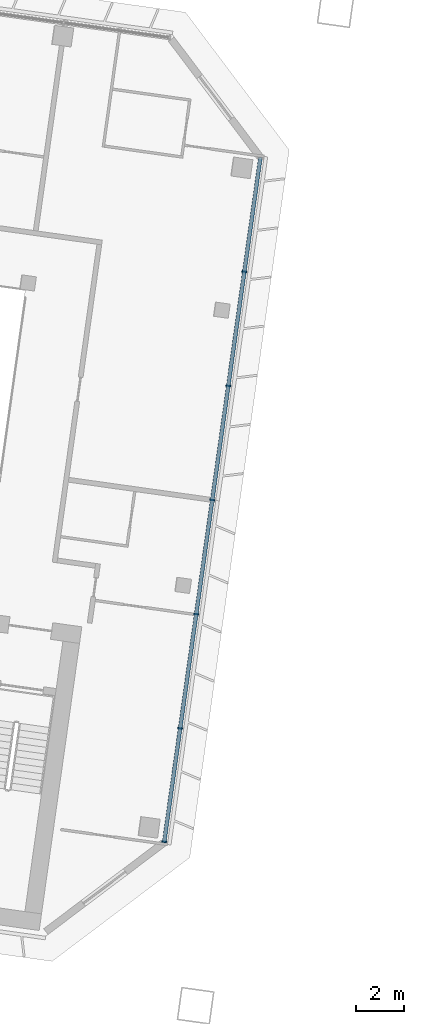
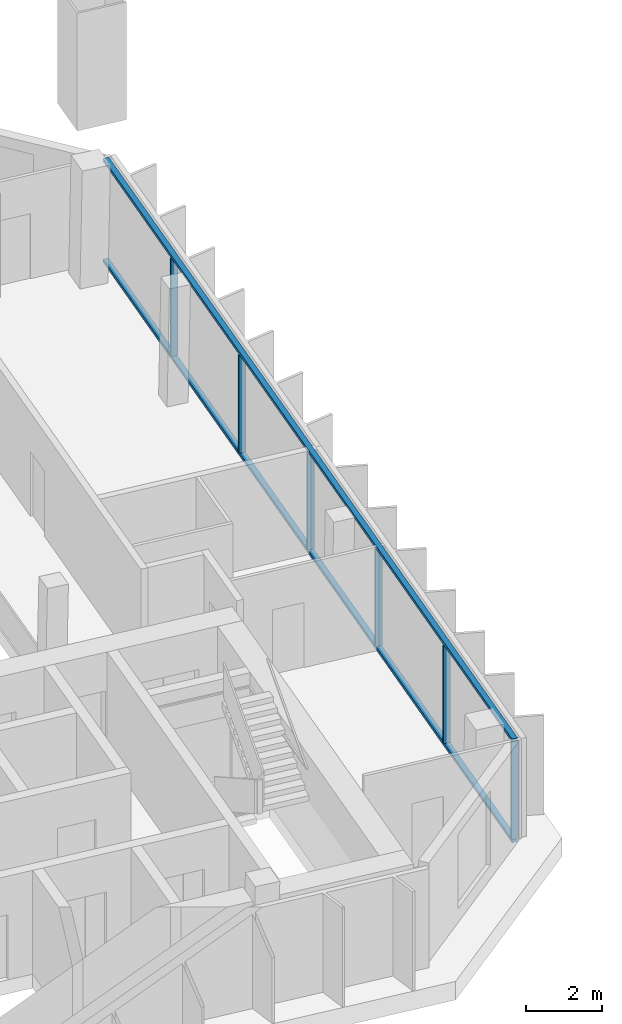
# One storey, part 6 of 26: 8 members, 1 element without a shape of its own.
"""IFC4 building model written with IfcOpenShell, lengths in metres."""

from ifc_helpers import new_model, si_unit, direction, frame, origin, origin_2d, place, context, subcontext, project, spatial, rectangle, extrude, material, material_profile, profile_set, type_object, element, aggregate, save


model = new_model("IFC4")

# Units and contexts
model_context = context("Model", 3, precision=1e-05, world=origin(), true_north=direction((0.0, 1.0)))
body_context = subcontext(model_context, "Body", "Model", "MODEL_VIEW")
ifc_project = project(units=[si_unit("LENGTHUNIT", "METRE"), si_unit("AREAUNIT", "SQUARE_METRE"), si_unit("VOLUMEUNIT", "CUBIC_METRE"), si_unit("PLANEANGLEUNIT", "RADIAN"), si_unit("MASSUNIT", "GRAM", prefix="KILO")], contexts=[model_context])

# Site, building, storey
site_placement = place(None, origin())
site = spatial("IfcSite", under=ifc_project, at=site_placement, CompositionType="ELEMENT")
building_placement = place(site_placement, origin())
building = spatial("IfcBuilding", under=site, at=building_placement, Name="Mirante Cascada Hotel Towers", CompositionType="ELEMENT")
storey_placement = place(building_placement, frame((0.0, 0.0, 161.2)))
storey = spatial("IfcBuildingStorey", under=building, at=storey_placement, Name="L37", CompositionType="ELEMENT", Elevation=161.2)

# Curtain wall, members
ifc_material_1 = material(Name="Aluminium mullion and transom frame with clear laminated glass", Category="aluminium")
curtain_wall_type = type_object("IfcCurtainWallType", Name="End ribbon curtain wall ECW2", PredefinedType="NOTDEFINED", material=ifc_material_1)
curtain_wall_placement = place(storey_placement, origin())
curtain_wall = element("IfcCurtainWall", 1, at=curtain_wall_placement, inside=storey, type_object=curtain_wall_type, Name="Inner end wall T1 L37", PredefinedType="NOTDEFINED")
ifc_material_2 = material(Name="Anodised aluminium extrusion", Category="aluminium")
ifc_material_profile_1 = material_profile(ifc_material_2, rectangle(XDim=0.2, YDim=0.065, at=origin_2d()), Name="ECW2 MULLION 65x200")
ifc_profile_set_1 = profile_set([ifc_material_profile_1], Name="Anodised aluminium extrusion")
member_type_1 = type_object("IfcMemberType", Name="ECW2 mullion 65x200", PredefinedType="MULLION", material=ifc_profile_set_1)
member_1_placement = place(storey_placement, frame((-28.7078, 7.5382, 0.1), z_axis=(0.0, 0.0, 1.0), x_axis=(0.9902681, -0.1391731, 0.0)))
member_1 = element("IfcMember", 2, at=member_1_placement, type_object=member_type_1, Name="ECW2 mullion 2", PredefinedType="MULLION", context=body_context, shape_type="SweptSolid", body=[
    extrude(rectangle(XDim=0.2, YDim=0.065, at=origin_2d()), origin(), (0.0, 0.0, 1.0), 3.15),
])
member_2_placement = place(storey_placement, frame((-29.3775, 2.7724, 0.1), z_axis=(0.0, 0.0, 1.0), x_axis=(0.9902681, -0.1391731, 0.0)))
member_2 = element("IfcMember", 3, at=member_2_placement, type_object=member_type_1, Name="ECW2 mullion 3", PredefinedType="MULLION", context=body_context, shape_type="SweptSolid", body=[
    extrude(rectangle(XDim=0.2, YDim=0.065, at=origin_2d()), origin(), (0.0, 0.0, 1.0), 3.15),
])
member_3_placement = place(storey_placement, frame((-30.0473, -1.9933, 0.1), z_axis=(0.0, 0.0, 1.0), x_axis=(0.9902681, -0.1391731, 0.0)))
member_3 = element("IfcMember", 4, at=member_3_placement, type_object=member_type_1, Name="ECW2 mullion 4", PredefinedType="MULLION", context=body_context, shape_type="SweptSolid", body=[
    extrude(rectangle(XDim=0.2, YDim=0.065, at=origin_2d()), origin(), (0.0, 0.0, 1.0), 3.15),
])
member_4_placement = place(storey_placement, frame((-30.7171, -6.7591, 0.1), z_axis=(0.0, 0.0, 1.0), x_axis=(0.9902681, -0.1391731, 0.0)))
member_4 = element("IfcMember", 5, at=member_4_placement, type_object=member_type_1, Name="ECW2 mullion 5", PredefinedType="MULLION", context=body_context, shape_type="SweptSolid", body=[
    extrude(rectangle(XDim=0.2, YDim=0.065, at=origin_2d()), origin(), (0.0, 0.0, 1.0), 3.15),
])
member_5_placement = place(storey_placement, frame((-31.3869, -11.5249, 0.1), z_axis=(0.0, 0.0, 1.0), x_axis=(0.9902681, -0.1391731, 0.0)))
member_5 = element("IfcMember", 6, at=member_5_placement, type_object=member_type_1, Name="ECW2 mullion 6", PredefinedType="MULLION", context=body_context, shape_type="SweptSolid", body=[
    extrude(rectangle(XDim=0.2, YDim=0.065, at=origin_2d()), origin(), (0.0, 0.0, 1.0), 3.15),
])
member_6_placement = place(storey_placement, frame((-32.0522, -16.2585, 0.1), z_axis=(0.0, 0.0, 1.0), x_axis=(0.9902681, -0.1391731, 0.0)))
member_6 = element("IfcMember", 7, at=member_6_placement, type_object=member_type_1, Name="ECW2 mullion 7", PredefinedType="MULLION", context=body_context, shape_type="SweptSolid", body=[
    extrude(rectangle(XDim=0.2, YDim=0.065, at=origin_2d()), origin(), (0.0, 0.0, 1.0), 3.15),
])
ifc_material_3 = material(Name="Anodised aluminium extrusion", Category="aluminium")
ifc_material_profile_2 = material_profile(ifc_material_3, rectangle(XDim=0.16, YDim=0.1, at=origin_2d()), Name="ECW2 TRANSOM 100x160")
ifc_profile_set_2 = profile_set([ifc_material_profile_2], Name="Anodised aluminium extrusion")
member_type_2 = type_object("IfcMemberType", Name="ECW2 transom 100x160", PredefinedType="USERDEFINED", material=ifc_profile_set_2)
member_7_placement = place(storey_placement, frame((-28.038, 12.304, 0.05), z_axis=(-0.1391723, -0.9902682, 0.0), x_axis=(0.9902682, -0.1391723, 0.0)))
member_7 = element("IfcMember", 8, at=member_7_placement, type_object=member_type_2, Name="ECW2 sill transom", ObjectType="TRANSOM", PredefinedType="USERDEFINED", context=body_context, shape_type="SweptSolid", body=[
    extrude(rectangle(XDim=0.16, YDim=0.1, at=origin_2d()), origin(), (0.0, 0.0, 1.0), 28.8757),
])
member_8_placement = place(storey_placement, frame((-28.038, 12.304, 3.3), z_axis=(-0.1391723, -0.9902682, 0.0), x_axis=(0.9902682, -0.1391723, 0.0)))
member_8 = element("IfcMember", 9, at=member_8_placement, type_object=member_type_2, Name="ECW2 head transom", ObjectType="TRANSOM", PredefinedType="USERDEFINED", context=body_context, shape_type="SweptSolid", body=[
    extrude(rectangle(XDim=0.16, YDim=0.1, at=origin_2d()), origin(), (0.0, 0.0, 1.0), 28.8757),
])
aggregate(curtain_wall, [member_7, member_8, member_1, member_2, member_3, member_4, member_5, member_6])

save(model, "model.ifc")
